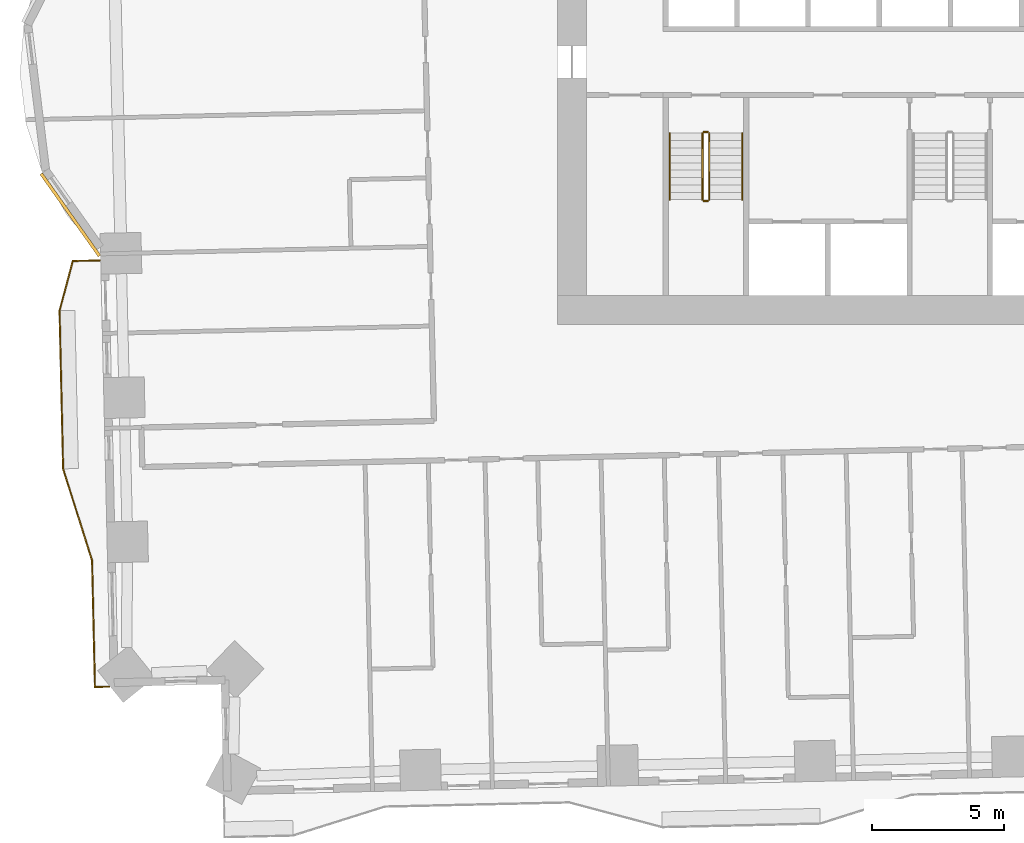
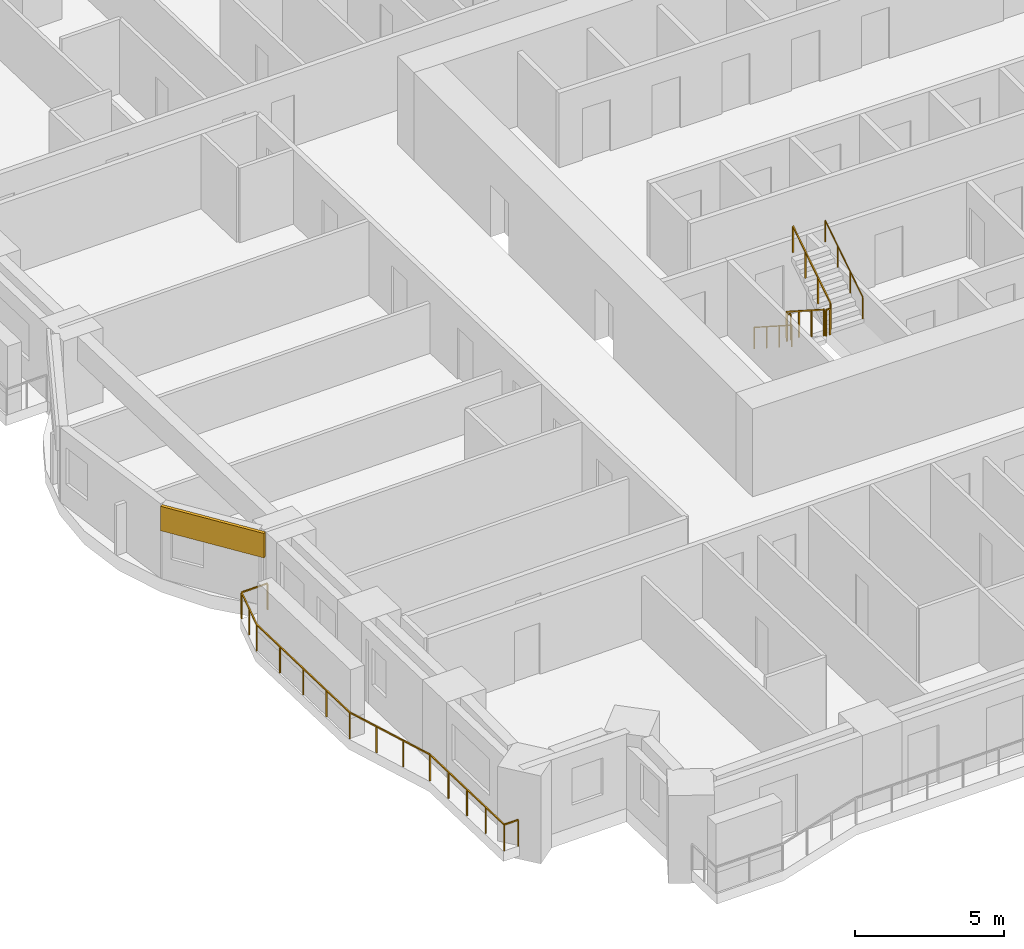
# One storey, part 13 of 16: 7 railings, 1 covering.
"""IFC4 building model written with IfcOpenShell, lengths in metres."""

from ifc_helpers import new_model, si_unit, direction, frame, frame_2d, origin, origin_2d, place, context, subcontext, project, spatial, rectangle, circle, extrude, material, layer, layer_set, type_object, element, save


model = new_model("IFC4")

# Units and contexts
model_context = context("Model", 3, precision=1e-05, world=origin(), true_north=direction((0.0, 1.0)))
body_context = subcontext(model_context, "Body", "Model", "MODEL_VIEW")
ifc_project = project(units=[si_unit("LENGTHUNIT", "METRE"), si_unit("AREAUNIT", "SQUARE_METRE"), si_unit("VOLUMEUNIT", "CUBIC_METRE"), si_unit("PLANEANGLEUNIT", "RADIAN"), si_unit("MASSUNIT", "GRAM", prefix="KILO")], contexts=[model_context])

# Site, building, storey
site_placement = place(None, origin())
site = spatial("IfcSite", under=ifc_project, at=site_placement, CompositionType="ELEMENT")
building_placement = place(site_placement, origin())
building = spatial("IfcBuilding", under=site, at=building_placement, Name="Mangrove Gate Tower", CompositionType="ELEMENT")
storey_placement = place(building_placement, frame((0.0, 0.0, 41.300048828125)))
storey = spatial("IfcBuildingStorey", under=building, at=storey_placement, Name="L09", CompositionType="ELEMENT", Elevation=41.300048828125)

# Railings
ifc_material_1 = material(Name="Stainless steel grade 316 with laminated glass infill", Category="steel")
railing_type_1 = type_object("IfcRailingType", Name="Balcony guard 1100", PredefinedType="GUARDRAIL", material=ifc_material_1)
railing_1_placement = place(storey_placement, frame((-32.27001953125, -9.472900390625, 0.0)))
element("IfcRailing", 1, at=railing_1_placement, inside=storey, type_object=railing_type_1, Name="GUARD L09 W2", PredefinedType="GUARDRAIL", context=body_context, shape_type="SweptSolid", body=[
    extrude(rectangle(XDim=0.048095703125, YDim=0.048095703125, at=origin_2d()), frame((0.0, 0.0, 1.076171875), z_axis=(-0.999741588416, -0.022732276424, 0.0), x_axis=(0.022732276424, -0.999741588416, 0.0)), (0.0, 0.0, 1.0), 1.020263671875),
    extrude(rectangle(XDim=0.048095703125, YDim=0.048095703125, at=origin_2d()), frame((-1.02001953125, -0.023193359375, 1.076171875), z_axis=(-0.25707115228, -0.966392478585, 0.0), x_axis=(0.966392478585, -0.25707115228, 0.0)), (0.0, 0.0, 1.0), 1.95263671875),
    extrude(rectangle(XDim=0.048095703125, YDim=0.048095703125, at=origin_2d()), frame((-1.52197265625, -1.91015625, 1.076171875), z_axis=(0.022665943652, -0.999743094499, 0.0), x_axis=(0.999743094499, 0.022665943652, 0.0)), (0.0, 0.0, 1.0), 5.99951171875),
    extrude(rectangle(XDim=0.048095703125, YDim=0.048095703125, at=origin_2d()), frame((-1.385986328125, -7.908203125, 1.076171875), z_axis=(0.300955047085, -0.953638327477, 0.0), x_axis=(0.953638327477, 0.300955047085, 0.0)), (0.0, 0.0, 1.0), 3.644775390625),
    extrude(rectangle(XDim=0.048095703125, YDim=0.048095703125, at=origin_2d()), frame((-0.2890625, -11.384033203125, 1.076171875), z_axis=(0.022734113616, -0.99974154664, 0.0), x_axis=(0.99974154664, 0.022734113616, 0.0)), (0.0, 0.0, 1.0), 4.80029296875),
    extrude(rectangle(XDim=0.048095703125, YDim=0.048095703125, at=origin_2d()), frame((-0.179931640625, -16.18310546875, 1.076171875), z_axis=(0.99976082802, 0.021869768113, 0.0), x_axis=(-0.021869768113, 0.99976082802, 0.0)), (0.0, 0.0, 1.0), 0.547119140625),
    extrude(rectangle(XDim=0.0419921875, YDim=0.0419921875, at=origin_2d()), origin(), (0.0, 0.0, 1.0), 1.052001953125),
    extrude(rectangle(XDim=0.0419921875, YDim=0.0419921875, at=origin_2d()), frame((-1.02001953125, -0.023193359375, 0.0)), (0.0, 0.0, 1.0), 1.052001953125),
    extrude(rectangle(XDim=0.0419921875, YDim=0.0419921875, at=origin_2d()), frame((-1.27099609375, -0.966796875, 0.0)), (0.0, 0.0, 1.0), 1.052001953125),
    extrude(rectangle(XDim=0.0419921875, YDim=0.0419921875, at=origin_2d()), frame((-1.52197265625, -1.91015625, 0.0)), (0.0, 0.0, 1.0), 1.052001953125),
    extrude(rectangle(XDim=0.0419921875, YDim=0.0419921875, at=origin_2d()), frame((-1.488037109375, -3.40966796875, 0.0)), (0.0, 0.0, 1.0), 1.052001953125),
    extrude(rectangle(XDim=0.0419921875, YDim=0.0419921875, at=origin_2d()), frame((-1.4541015625, -4.9091796875, 0.0)), (0.0, 0.0, 1.0), 1.052001953125),
    extrude(rectangle(XDim=0.0419921875, YDim=0.0419921875, at=origin_2d()), frame((-1.419921875, -6.40869140625, 0.0)), (0.0, 0.0, 1.0), 1.052001953125),
    extrude(rectangle(XDim=0.0419921875, YDim=0.0419921875, at=origin_2d()), frame((-1.385986328125, -7.908203125, 0.0)), (0.0, 0.0, 1.0), 1.052001953125),
    extrude(rectangle(XDim=0.0419921875, YDim=0.0419921875, at=origin_2d()), frame((-1.020263671875, -9.06689453125, 0.0)), (0.0, 0.0, 1.0), 1.052001953125),
    extrude(rectangle(XDim=0.0419921875, YDim=0.0419921875, at=origin_2d()), frame((-0.65478515625, -10.225341796875, 0.0)), (0.0, 0.0, 1.0), 1.052001953125),
    extrude(rectangle(XDim=0.0419921875, YDim=0.0419921875, at=origin_2d()), frame((-0.2890625, -11.384033203125, 0.0)), (0.0, 0.0, 1.0), 1.052001953125),
    extrude(rectangle(XDim=0.0419921875, YDim=0.0419921875, at=origin_2d()), frame((-0.26171875, -12.583740234375, 0.0)), (0.0, 0.0, 1.0), 1.052001953125),
    extrude(rectangle(XDim=0.0419921875, YDim=0.0419921875, at=origin_2d()), frame((-0.234375, -13.78369140625, 0.0)), (0.0, 0.0, 1.0), 1.052001953125),
    extrude(rectangle(XDim=0.0419921875, YDim=0.0419921875, at=origin_2d()), frame((-0.207275390625, -14.9833984375, 0.0)), (0.0, 0.0, 1.0), 1.052001953125),
    extrude(rectangle(XDim=0.0419921875, YDim=0.0419921875, at=origin_2d()), frame((-0.179931640625, -16.18310546875, 0.0)), (0.0, 0.0, 1.0), 1.052001953125),
    extrude(rectangle(XDim=0.0419921875, YDim=0.0419921875, at=origin_2d()), frame((0.366943359375, -16.171142578125, 0.0)), (0.0, 0.0, 1.0), 1.052001953125),
])
ifc_material_2 = material(Name="Stainless steel 316", Category="steel")
railing_type_2 = type_object("IfcRailingType", Name="Core stair guard 1100", PredefinedType="GUARDRAIL", material=ifc_material_2)
railing_2_placement = place(storey_placement, frame((-9.39990234375, -4.64990234375, 0.179931640625)))
element("IfcRailing", 2, at=railing_2_placement, inside=storey, type_object=railing_type_2, Name="L09 ST1 stair guard 1", PredefinedType="GUARDRAIL", context=body_context, shape_type="SweptSolid", body=[
    extrude(rectangle(XDim=0.048095703125, YDim=0.048095703125, at=origin_2d()), frame((0.0, 0.0, 1.076171875), z_axis=(0.0, -0.841162588446, 0.540782303519), x_axis=(1.0, 0.0, 0.0)), (0.0, 0.0, 1.0), 2.995849609375),
    extrude(rectangle(XDim=0.0419921875, YDim=0.0419921875, at=origin_2d()), origin(), (0.0, 0.0, 1.0), 1.052001953125),
    extrude(rectangle(XDim=0.0419921875, YDim=0.0419921875, at=origin_2d()), frame((0.0, -0.840087890625, 0.5400390625)), (0.0, 0.0, 1.0), 1.052001953125),
    extrude(rectangle(XDim=0.0419921875, YDim=0.0419921875, at=origin_2d()), frame((0.0, -1.679931640625, 1.080078125)), (0.0, 0.0, 1.0), 1.052001953125),
    extrude(rectangle(XDim=0.0419921875, YDim=0.0419921875, at=origin_2d()), frame((0.0, -2.52001953125, 1.6201171875)), (0.0, 0.0, 1.0), 1.052001953125),
])
railing_3_placement = place(storey_placement, frame((-9.35009765625, -7.219970703125, 1.800048828125)))
element("IfcRailing", 3, at=railing_3_placement, inside=storey, type_object=railing_type_2, Name="L09 ST1 stair guard 2", PredefinedType="GUARDRAIL", context=body_context, shape_type="SweptSolid", body=[
    extrude(rectangle(XDim=0.048095703125, YDim=0.048095703125, at=origin_2d()), frame((0.0, 0.0, 1.076171875), z_axis=(1.0, 0.0, 0.0), x_axis=(0.0, 1.0, 0.0)), (0.0, 0.0, 1.0), 0.150146484375),
    extrude(rectangle(XDim=0.0419921875, YDim=0.0419921875, at=origin_2d()), origin(), (0.0, 0.0, 1.0), 1.052001953125),
    extrude(rectangle(XDim=0.0419921875, YDim=0.0419921875, at=origin_2d()), frame((0.150146484375, 0.0, 0.0)), (0.0, 0.0, 1.0), 1.052001953125),
])
railing_4_placement = place(storey_placement, frame((-9.14990234375, -7.169921875, 1.97998046875)))
element("IfcRailing", 4, at=railing_4_placement, inside=storey, type_object=railing_type_2, Name="L09 ST1 stair guard 3", PredefinedType="GUARDRAIL", context=body_context, shape_type="SweptSolid", body=[
    extrude(rectangle(XDim=0.048095703125, YDim=0.048095703125, at=origin_2d()), frame((0.0, 0.0, 1.076171875), z_axis=(0.0, 0.841199657755, 0.540724639528), x_axis=(-1.0, 0.0, 0.0)), (0.0, 0.0, 1.0), 2.995849609375),
    extrude(rectangle(XDim=0.0419921875, YDim=0.0419921875, at=origin_2d()), origin(), (0.0, 0.0, 1.0), 1.052001953125),
    extrude(rectangle(XDim=0.0419921875, YDim=0.0419921875, at=origin_2d()), frame((0.0, 0.840087890625, 0.5400390625)), (0.0, 0.0, 1.0), 1.052001953125),
    extrude(rectangle(XDim=0.0419921875, YDim=0.0419921875, at=origin_2d()), frame((0.0, 1.679931640625, 1.079833984375)), (0.0, 0.0, 1.0), 1.052001953125),
    extrude(rectangle(XDim=0.0419921875, YDim=0.0419921875, at=origin_2d()), frame((0.0, 2.52001953125, 1.619873046875)), (0.0, 0.0, 1.0), 1.052001953125),
])
railing_5_placement = place(storey_placement, frame((-9.35009765625, -4.60009765625, 0.0)))
element("IfcRailing", 5, at=railing_5_placement, inside=storey, type_object=railing_type_2, Name="L09 ST1 stair guard 4", PredefinedType="GUARDRAIL", context=body_context, shape_type="SweptSolid", body=[
    extrude(rectangle(XDim=0.048095703125, YDim=0.048095703125, at=origin_2d()), frame((0.0, 0.0, 1.076171875), z_axis=(1.0, 0.0, 0.0), x_axis=(0.0, 1.0, 0.0)), (0.0, 0.0, 1.0), 0.150146484375),
    extrude(rectangle(XDim=0.0419921875, YDim=0.0419921875, at=origin_2d()), origin(), (0.0, 0.0, 1.0), 1.052001953125),
    extrude(rectangle(XDim=0.0419921875, YDim=0.0419921875, at=origin_2d()), frame((0.150146484375, 0.0, 0.0)), (0.0, 0.0, 1.0), 1.052001953125),
])
ifc_material_3 = material(Name="Stainless steel 316", Category="steel")
railing_type_3 = type_object("IfcRailingType", Name="Core stair handrail 900", PredefinedType="HANDRAIL", material=ifc_material_3)
railing_6_placement = place(storey_placement, frame((-10.64990234375, -4.64990234375, 0.179931640625)))
element("IfcRailing", 6, at=railing_6_placement, inside=storey, type_object=railing_type_3, Name="L09 ST1 stair handrail 1", PredefinedType="HANDRAIL", context=body_context, shape_type="SweptSolid", body=[
    extrude(circle(Radius=0.02392578125, at=origin_2d()), frame((0.0, 0.0, 0.8759765625), z_axis=(0.0, -0.841162588446, 0.540782303519), x_axis=(1.0, 0.0, 0.0)), (0.0, 0.0, 1.0), 2.995849609375),
    extrude(circle(Radius=0.02099609375, at=origin_2d()), origin(), (0.0, 0.0, 1.0), 0.851806640625),
    extrude(circle(Radius=0.02099609375, at=origin_2d()), frame((0.0, -0.840087890625, 0.5400390625)), (0.0, 0.0, 1.0), 0.851806640625),
    extrude(circle(Radius=0.02099609375, at=origin_2d()), frame((0.0, -1.679931640625, 1.080078125)), (0.0, 0.0, 1.0), 0.851806640625),
    extrude(circle(Radius=0.02099609375, at=origin_2d()), frame((0.0, -2.52001953125, 1.6201171875)), (0.0, 0.0, 1.0), 0.851806640625),
])
railing_7_placement = place(storey_placement, frame((-7.89990234375, -7.169921875, 1.97998046875)))
element("IfcRailing", 7, at=railing_7_placement, inside=storey, type_object=railing_type_3, Name="L09 ST1 stair handrail 2", PredefinedType="HANDRAIL", context=body_context, shape_type="SweptSolid", body=[
    extrude(circle(Radius=0.02392578125, at=origin_2d()), frame((0.0, 0.0, 0.8759765625), z_axis=(0.0, 0.841199657755, 0.540724639528), x_axis=(-1.0, 0.0, 0.0)), (0.0, 0.0, 1.0), 2.995849609375),
    extrude(circle(Radius=0.02099609375, at=origin_2d()), origin(), (0.0, 0.0, 1.0), 0.851806640625),
    extrude(circle(Radius=0.02099609375, at=origin_2d()), frame((0.0, 0.840087890625, 0.5400390625)), (0.0, 0.0, 1.0), 0.851806640625),
    extrude(circle(Radius=0.02099609375, at=origin_2d()), frame((0.0, 1.679931640625, 1.079833984375)), (0.0, 0.0, 1.0), 0.851806640625),
    extrude(circle(Radius=0.02099609375, at=origin_2d()), frame((0.0, 2.52001953125, 1.619873046875)), (0.0, 0.0, 1.0), 0.851806640625),
])

# Covering
ifc_material_4 = material(Name="Limestone", Category="masonry")
ifc_layer_1 = layer(ifc_material_4, 0.0400390625, Name="Limestone cladding")
ifc_material_5 = material(Name="Stainless steel anchors and cavity", Category="steel")
ifc_layer_2 = layer(ifc_material_5, 0.080078125, Name="Fixing cavity")
ifc_layer_set = layer_set([ifc_layer_1, ifc_layer_2], Name="Joint fascia cladding 120")
covering_type = type_object("IfcCoveringType", Name="Joint fascia cladding 120", PredefinedType="CLADDING", material=ifc_layer_set)
covering_placement = place(storey_placement, frame((-34.486083984375, -6.18701171875, 2.050048828125), z_axis=(0.0, 0.0, 1.0), x_axis=(0.578168098379, -0.815917673553, 0.0)))
element("IfcCovering", 8, at=covering_placement, inside=storey, type_object=covering_type, Name="STONE FASCIA L09 W9.L2", PredefinedType="CLADDING", context=body_context, shape_type="SweptSolid", body=[
    extrude(rectangle(XDim=3.819091796875, YDim=0.1201171875, at=frame_2d((1.90966796875, 0.0))), origin(), (0.0, 0.0, 1.0), 1.0),
])

save(model, "model.ifc")
